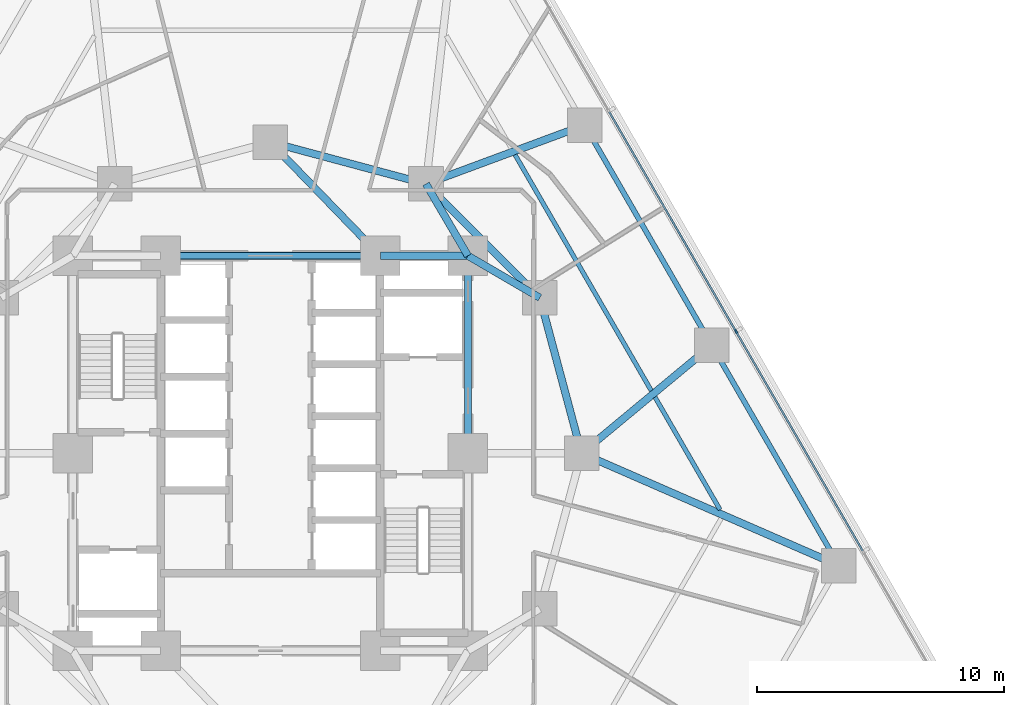
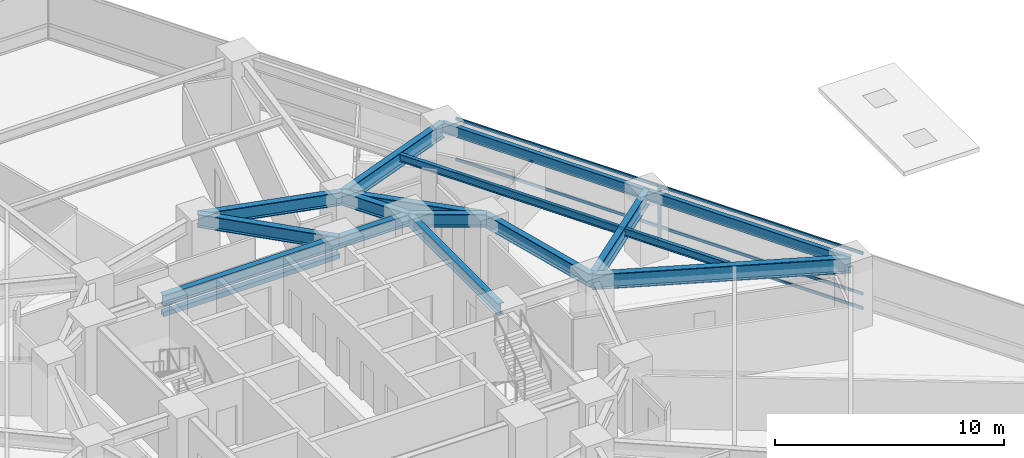
# One storey, part 5 of 16: 17 beams, 7 members, 1 element without a shape of its own.
"""IFC4 building model written with IfcOpenShell, lengths in metres."""

from ifc_helpers import new_model, si_unit, direction, frame, origin, origin_2d, place, context, subcontext, project, spatial, rectangle, hollow_rectangle, i_section, extrude, material, layer, layer_set, material_profile, profile_set, type_object, element, aggregate, save


model = new_model("IFC4")

# Units and contexts
model_context = context("Model", 3, precision=1e-05, world=origin(), true_north=direction((0.0, 1.0)))
body_context = subcontext(model_context, "Body", "Model", "MODEL_VIEW")
ifc_project = project(units=[si_unit("LENGTHUNIT", "METRE"), si_unit("AREAUNIT", "SQUARE_METRE"), si_unit("VOLUMEUNIT", "CUBIC_METRE"), si_unit("PLANEANGLEUNIT", "RADIAN"), si_unit("MASSUNIT", "GRAM", prefix="KILO")], contexts=[model_context])

# Site, building, storey
site_placement = place(None, origin())
site = spatial("IfcSite", under=ifc_project, at=site_placement, CompositionType="ELEMENT")
building_placement = place(site_placement, origin())
building = spatial("IfcBuilding", under=site, at=building_placement, Name="Terralouvre Media Tower", CompositionType="ELEMENT")
storey_placement = place(building_placement, frame((0.0, 0.0, 29.699951171875)))
storey = spatial("IfcBuildingStorey", under=building, at=storey_placement, Name="L06", CompositionType="ELEMENT", Elevation=29.699951171875)

# Beams
ifc_material_1 = material(Name="Structural steel S355J2", Category="steel")
ifc_material_profile_1 = material_profile(ifc_material_1, i_section(OverallWidth=0.179931640625, OverallDepth=0.39990234375, WebThickness=0.008544921875, FlangeThickness=0.013427734375, at=origin_2d()), Name="IPE 400")
ifc_profile_set_1 = profile_set([ifc_material_profile_1], Name="Structural steel S355J2")
beam_type_1 = type_object("IfcBeamType", Name="Composite Floor Joist J-IPE400 (IPE 400)", PredefinedType="JOIST", material=ifc_profile_set_1)
beam_1_placement = place(storey_placement, frame((18.20849609375, -2.28369140625, 3.300048828125), z_axis=(-0.500019514865, 0.866014136579, 0.0), x_axis=(-0.866014136579, -0.500019514865, 0.0)))
element("IfcBeam", 1, at=beam_1_placement, inside=storey, type_object=beam_type_1, Name="L06 Framing Beam JT-L06-06", PredefinedType="JOIST", context=body_context, shape_type="SweptSolid", body=[
    extrude(i_section(OverallWidth=0.179931640625, OverallDepth=0.39990234375, WebThickness=0.008544921875, FlangeThickness=0.013427734375, at=origin_2d()), origin(), (0.0, 0.0, 1.0), 5.264404296875),
])
beam_2_placement = place(storey_placement, frame((15.426025390625, 2.535400390625, 3.300048828125), z_axis=(-0.499996323086, 0.866027526641, 0.0), x_axis=(-0.866027526641, -0.499996323086, 0.0)))
element("IfcBeam", 2, at=beam_2_placement, inside=storey, type_object=beam_type_1, Name="L06 Framing Beam JT-L06-07", PredefinedType="JOIST", context=body_context, shape_type="SweptSolid", body=[
    extrude(i_section(OverallWidth=0.179931640625, OverallDepth=0.39990234375, WebThickness=0.008544921875, FlangeThickness=0.013427734375, at=origin_2d()), origin(), (0.0, 0.0, 1.0), 11.03466796875),
])

# Curtain wall, members
ifc_material_2 = material(Name="Low-iron laminated double glazing with solar-control coating", Category="glass")
ifc_layer = layer(ifc_material_2, 0.1650390625, Name="Lower Media Tower Unitised Curtain Wall CW-02")
ifc_layer_set = layer_set([ifc_layer], Name="Low-iron laminated double glazing with solar-control coating")
curtain_wall_type = type_object("IfcCurtainWallType", Name="Lower Media Tower Unitised Curtain Wall CW-02", PredefinedType="NOTDEFINED", material=ifc_layer_set)
curtain_wall_placement = place(storey_placement, origin())
curtain_wall = element("IfcCurtainWall", 3, at=curtain_wall_placement, inside=storey, type_object=curtain_wall_type, Name="L06 Facade Curtain Wall F1", PredefinedType="NOTDEFINED")
ifc_material_3 = material(Name="Anodised extruded aluminium 6063-T6", Category="aluminium")
ifc_material_profile_2 = material_profile(ifc_material_3, rectangle(XDim=0.074951171875, YDim=0.14990234375, at=origin_2d()), Name="ALU 75x150")
ifc_profile_set_2 = profile_set([ifc_material_profile_2], Name="Anodised extruded aluminium 6063-T6")
member_type_1 = type_object("IfcMemberType", Name="Curtain-Wall Horizontal Transom TR-150", PredefinedType="USERDEFINED", material=ifc_profile_set_2)
member_1_placement = place(storey_placement, frame((23.984619140625, -3.94921875, 0.03759765625), z_axis=(-0.499991148707, 0.866030514021, 0.0), x_axis=(-0.866030514021, -0.499991148707, 0.0)))
member_1 = element("IfcMember", 4, at=member_1_placement, type_object=member_type_1, Name="CW-02 transom 2.1", ObjectType="TRANSOM", PredefinedType="USERDEFINED", context=body_context, shape_type="SweptSolid", body=[
    extrude(rectangle(XDim=0.074951171875, YDim=0.14990234375, at=origin_2d()), origin(), (0.0, 0.0, 1.0), 10.224853515625),
])
member_2_placement = place(storey_placement, frame((23.984619140625, -3.94921875, 0.800048828125), z_axis=(-0.499991148707, 0.866030514021, 0.0), x_axis=(-0.866030514021, -0.499991148707, 0.0)))
member_2 = element("IfcMember", 5, at=member_2_placement, type_object=member_type_1, Name="CW-02 transom 2.2", ObjectType="TRANSOM", PredefinedType="USERDEFINED", context=body_context, shape_type="SweptSolid", body=[
    extrude(rectangle(XDim=0.074951171875, YDim=0.14990234375, at=origin_2d()), origin(), (0.0, 0.0, 1.0), 10.224853515625),
])
member_3_placement = place(storey_placement, frame((23.984619140625, -3.94921875, 2.962646484375), z_axis=(-0.499991148707, 0.866030514021, 0.0), x_axis=(-0.866030514021, -0.499991148707, 0.0)))
member_3 = element("IfcMember", 6, at=member_3_placement, type_object=member_type_1, Name="CW-02 transom 2.3", ObjectType="TRANSOM", PredefinedType="USERDEFINED", context=body_context, shape_type="SweptSolid", body=[
    extrude(rectangle(XDim=0.074951171875, YDim=0.14990234375, at=origin_2d()), origin(), (0.0, 0.0, 1.0), 10.224853515625),
])
member_4_placement = place(storey_placement, frame((18.834716796875, 4.970947265625, 0.03759765625), z_axis=(-0.50000905659, 0.866020174897, 0.0), x_axis=(-0.866020174897, -0.50000905659, 0.0)))
member_4 = element("IfcMember", 7, at=member_4_placement, type_object=member_type_1, Name="CW-02 transom 3.1", ObjectType="TRANSOM", PredefinedType="USERDEFINED", context=body_context, shape_type="SweptSolid", body=[
    extrude(rectangle(XDim=0.074951171875, YDim=0.14990234375, at=origin_2d()), origin(), (0.0, 0.0, 1.0), 10.224853515625),
])
member_5_placement = place(storey_placement, frame((18.834716796875, 4.970947265625, 0.800048828125), z_axis=(-0.50000905659, 0.866020174897, 0.0), x_axis=(-0.866020174897, -0.50000905659, 0.0)))
member_5 = element("IfcMember", 8, at=member_5_placement, type_object=member_type_1, Name="CW-02 transom 3.2", ObjectType="TRANSOM", PredefinedType="USERDEFINED", context=body_context, shape_type="SweptSolid", body=[
    extrude(rectangle(XDim=0.074951171875, YDim=0.14990234375, at=origin_2d()), origin(), (0.0, 0.0, 1.0), 10.224853515625),
])
member_6_placement = place(storey_placement, frame((18.834716796875, 4.970947265625, 2.962646484375), z_axis=(-0.50000905659, 0.866020174897, 0.0), x_axis=(-0.866020174897, -0.50000905659, 0.0)))
member_6 = element("IfcMember", 9, at=member_6_placement, type_object=member_type_1, Name="CW-02 transom 3.3", ObjectType="TRANSOM", PredefinedType="USERDEFINED", context=body_context, shape_type="SweptSolid", body=[
    extrude(rectangle(XDim=0.074951171875, YDim=0.14990234375, at=origin_2d()), origin(), (0.0, 0.0, 1.0), 10.224853515625),
])
ifc_material_4 = material(Name="Anodised extruded aluminium 6063-T6", Category="aluminium")
ifc_material_profile_3 = material_profile(ifc_material_4, rectangle(XDim=0.074951171875, YDim=0.179931640625, at=origin_2d()), Name="ALU 75x180")
ifc_profile_set_3 = profile_set([ifc_material_profile_3], Name="Anodised extruded aluminium 6063-T6")
member_type_2 = type_object("IfcMemberType", Name="Curtain-Wall Vertical Mullion ML-180", PredefinedType="MULLION", material=ifc_profile_set_3)
member_7_placement = place(storey_placement, frame((18.853515625, 4.938232421875, 0.0), z_axis=(0.0, 0.0, 1.0), x_axis=(-0.866025412057, -0.499999985671, 0.0)))
member_7 = element("IfcMember", 10, at=member_7_placement, type_object=member_type_2, Name="CW-02 mullion 3", PredefinedType="MULLION", context=body_context, shape_type="SweptSolid", body=[
    extrude(rectangle(XDim=0.074951171875, YDim=0.179931640625, at=origin_2d()), origin(), (0.0, 0.0, 1.0), 3.0),
])
aggregate(curtain_wall, [member_7, member_1, member_2, member_3, member_4, member_5, member_6])

# Beams
ifc_material_5 = material(Name="Structural steel S355J2", Category="steel")
ifc_material_profile_4 = material_profile(ifc_material_5, hollow_rectangle(XDim=0.25, YDim=0.25, WallThickness=0.012451171875, at=origin_2d()), Name="SHS 250x250x12.5")
ifc_profile_set_4 = profile_set([ifc_material_profile_4], Name="Structural steel S355J2")
beam_type_2 = type_object("IfcBeamType", Name="Opening Lintel Beam LN-SHS250 (SHS 250x250x12.5)", PredefinedType="LINTEL", material=ifc_profile_set_4)
beam_3_placement = place(storey_placement, frame((-4.449951171875, 8.0, 2.47509765625), z_axis=(1.0, 0.0, 0.0), x_axis=(0.0, 1.0, 0.0)))
element("IfcBeam", 11, at=beam_3_placement, inside=storey, type_object=beam_type_2, Name="L06 Core North Portal Lintel LN-09", PredefinedType="LINTEL", context=body_context, shape_type="SweptSolid", body=[
    extrude(hollow_rectangle(XDim=0.25, YDim=0.25, WallThickness=0.012451171875, at=origin_2d()), origin(), (0.0, 0.0, 1.0), 8.89990234375),
])
ifc_material_6 = material(Name="Structural steel S355J2", Category="steel")
ifc_material_profile_5 = material_profile(ifc_material_6, i_section(OverallWidth=0.2099609375, OverallDepth=0.550048828125, WebThickness=0.010986328125, FlangeThickness=0.01708984375, at=origin_2d()), Name="IPE 550")
ifc_profile_set_5 = profile_set([ifc_material_profile_5], Name="Structural steel S355J2")
beam_type_3 = type_object("IfcBeamType", Name="Perimeter Spandrel Beam SPB-550 (IPE 550)", PredefinedType="SPANDREL", material=ifc_profile_set_5)
for number, where, z_axis, x_axis, name in (
    (12, (23.02490234375, -4.546630859375, 3.22509765625), (-0.500016542852, 0.866015852554, 0.0), (-0.866015852554, -0.500016542852, 0.0), "L06 Framing Beam BM-L06-PR06"),
    (13, (17.874755859375, 4.373291015625, 3.22509765625), (-0.49998850195, 0.866032042085, 0.0), (-0.866032042085, -0.49998850195, 0.0), "L06 Framing Beam BM-L06-PR07"),
):
    element("IfcBeam", number, at=place(storey_placement, frame(where, z_axis=z_axis, x_axis=x_axis)), inside=storey, type_object=beam_type_3, Name=name, PredefinedType="SPANDREL", context=body_context, shape_type="SweptSolid", body=[
        extrude(i_section(OverallWidth=0.2099609375, OverallDepth=0.550048828125, WebThickness=0.010986328125, FlangeThickness=0.01708984375, at=origin_2d()), origin(), (0.0, 0.0, 1.0), 10.300048828125),
    ])
ifc_material_7 = material(Name="Structural steel S460M", Category="steel")
ifc_material_profile_6 = material_profile(ifc_material_7, i_section(OverallWidth=0.300048828125, OverallDepth=0.60009765625, WebThickness=0.015380859375, FlangeThickness=0.030029296875, at=origin_2d()), Name="HEB 600")
ifc_profile_set_6 = profile_set([ifc_material_profile_6], Name="Structural steel S460M")
beam_type_4 = type_object("IfcBeamType", Name="Primary Floor Girder B-HEB600 (HEB 600)", PredefinedType="BEAM", material=ifc_profile_set_6)
beam_4_placement = place(storey_placement, frame((8.0, 0.0, 3.199951171875), z_axis=(0.0, 1.0, 0.0), x_axis=(-1.0, 0.0, 0.0)))
element("IfcBeam", 14, at=beam_4_placement, inside=storey, type_object=beam_type_4, Name="L06 Framing Beam BM-L06-CPR05", PredefinedType="BEAM", context=body_context, shape_type="SweptSolid", body=[
    extrude(i_section(OverallWidth=0.300048828125, OverallDepth=0.60009765625, WebThickness=0.015380859375, FlangeThickness=0.030029296875, at=origin_2d()), origin(), (0.0, 0.0, 1.0), 8.0),
])
beam_5_placement = place(storey_placement, frame((8.0, 8.0, 3.199951171875), z_axis=(-1.0, 0.0, 0.0), x_axis=(0.0, -1.0, 0.0)))
element("IfcBeam", 15, at=beam_5_placement, inside=storey, type_object=beam_type_4, Name="L06 Framing Beam BM-L06-CPR06", PredefinedType="BEAM", context=body_context, shape_type="SweptSolid", body=[
    extrude(i_section(OverallWidth=0.300048828125, OverallDepth=0.60009765625, WebThickness=0.015380859375, FlangeThickness=0.030029296875, at=origin_2d()), origin(), (0.0, 0.0, 1.0), 3.550048828125),
])
beam_6_placement = place(storey_placement, frame((4.449951171875, 8.0, 3.199951171875), z_axis=(-1.0, 0.0, 0.0), x_axis=(0.0, -1.0, 0.0)))
element("IfcBeam", 16, at=beam_6_placement, inside=storey, type_object=beam_type_4, Name="L06 Framing Beam BM-L06-CPR07", PredefinedType="BEAM", context=body_context, shape_type="SweptSolid", body=[
    extrude(i_section(OverallWidth=0.300048828125, OverallDepth=0.60009765625, WebThickness=0.015380859375, FlangeThickness=0.030029296875, at=origin_2d()), origin(), (0.0, 0.0, 1.0), 8.89990234375),
])
ifc_material_8 = material(Name="Structural steel S460M", Category="steel")
ifc_material_profile_7 = material_profile(ifc_material_8, i_section(OverallWidth=0.300048828125, OverallDepth=0.699951171875, WebThickness=0.01708984375, FlangeThickness=0.031982421875, at=origin_2d()), Name="HEB 700")
ifc_profile_set_7 = profile_set([ifc_material_profile_7], Name="Structural steel S460M")
beam_type_5 = type_object("IfcBeamType", Name="Primary Floor Girder B-HEB700 (HEB 700)", PredefinedType="BEAM", material=ifc_profile_set_7)
beam_7_placement = place(storey_placement, frame((12.60009765625, 0.0, 3.150146484375), z_axis=(-0.258838989821, 0.965920481897, 0.0), x_axis=(-0.965920481897, -0.258838989821, 0.0)))
element("IfcBeam", 17, at=beam_7_placement, inside=storey, type_object=beam_type_5, Name="L06 Framing Beam BM-L06-MR06", PredefinedType="BEAM", context=body_context, shape_type="SweptSolid", body=[
    extrude(i_section(OverallWidth=0.300048828125, OverallDepth=0.699951171875, WebThickness=0.01708984375, FlangeThickness=0.031982421875, at=origin_2d()), origin(), (0.0, 0.0, 1.0), 6.522216796875),
])
beam_8_placement = place(storey_placement, frame((10.911865234375, 6.300048828125, 3.150146484375), z_axis=(-0.707106781187, 0.707106781187, 0.0), x_axis=(-0.707106781187, -0.707106781187, 0.0)))
element("IfcBeam", 18, at=beam_8_placement, inside=storey, type_object=beam_type_5, Name="L06 Framing Beam BM-L06-MR07", PredefinedType="BEAM", context=body_context, shape_type="SweptSolid", body=[
    extrude(i_section(OverallWidth=0.300048828125, OverallDepth=0.699951171875, WebThickness=0.01708984375, FlangeThickness=0.031982421875, at=origin_2d()), origin(), (0.0, 0.0, 1.0), 6.52197265625),
])
beam_9_placement = place(storey_placement, frame((6.300048828125, 10.911865234375, 3.150146484375), z_axis=(-0.965920481897, 0.258838989821, 0.0), x_axis=(-0.258838989821, -0.965920481897, 0.0)))
element("IfcBeam", 19, at=beam_9_placement, inside=storey, type_object=beam_type_5, Name="L06 Framing Beam BM-L06-MR08", PredefinedType="BEAM", context=body_context, shape_type="SweptSolid", body=[
    extrude(i_section(OverallWidth=0.300048828125, OverallDepth=0.699951171875, WebThickness=0.01708984375, FlangeThickness=0.031982421875, at=origin_2d()), origin(), (0.0, 0.0, 1.0), 6.522216796875),
])
for number, where, z_axis, x_axis, name in (
    (20, (8.0, 8.0, 3.150146484375), (0.863602894532, -0.504172629717, 0.0), (0.504172629717, 0.863602894532, 0.0), "L06 Framing Beam BM-L06-CM07"),
    (21, (8.0, 8.0, 3.150146484375), (-0.504172629717, 0.863602894532, 0.0), (-0.863602894532, -0.504172629717, 0.0), "L06 Framing Beam BM-L06-CM08"),
):
    element("IfcBeam", number, at=place(storey_placement, frame(where, z_axis=z_axis, x_axis=x_axis)), inside=storey, type_object=beam_type_5, Name=name, PredefinedType="BEAM", context=body_context, shape_type="SweptSolid", body=[
        extrude(i_section(OverallWidth=0.300048828125, OverallDepth=0.699951171875, WebThickness=0.01708984375, FlangeThickness=0.031982421875, at=origin_2d()), origin(), (0.0, 0.0, 1.0), 3.371826171875),
    ])
beam_10_placement = place(storey_placement, frame((4.449951171875, 8.0, 3.150146484375), z_axis=(-0.695279715726, 0.718739255155, 0.0), x_axis=(-0.718739255155, -0.695279715726, 0.0)))
element("IfcBeam", 22, at=beam_10_placement, inside=storey, type_object=beam_type_5, Name="L06 Framing Beam BM-L06-CM09", PredefinedType="BEAM", context=body_context, shape_type="SweptSolid", body=[
    extrude(i_section(OverallWidth=0.300048828125, OverallDepth=0.699951171875, WebThickness=0.01708984375, FlangeThickness=0.031982421875, at=origin_2d()), origin(), (0.0, 0.0, 1.0), 6.400146484375),
])
ifc_material_9 = material(Name="Structural steel S460M", Category="steel")
ifc_material_profile_8 = material_profile(ifc_material_9, i_section(OverallWidth=0.300048828125, OverallDepth=0.800048828125, WebThickness=0.017578125, FlangeThickness=0.032958984375, at=origin_2d()), Name="HEB 800")
ifc_profile_set_8 = profile_set([ifc_material_profile_8], Name="Structural steel S460M")
beam_type_6 = type_object("IfcBeamType", Name="Primary Floor Girder B-HEB800 (HEB 800)", PredefinedType="BEAM", material=ifc_profile_set_8)
beam_11_placement = place(storey_placement, frame((12.60009765625, 0.0, 3.10009765625), z_axis=(0.916615903868, -0.399769039291, 0.0), x_axis=(0.399769039291, 0.916615903868, 0.0)))
element("IfcBeam", 23, at=beam_11_placement, inside=storey, type_object=beam_type_6, Name="L06 Framing Beam BM-L06-RD06", PredefinedType="BEAM", context=body_context, shape_type="SweptSolid", body=[
    extrude(i_section(OverallWidth=0.300048828125, OverallDepth=0.800048828125, WebThickness=0.017578125, FlangeThickness=0.032958984375, at=origin_2d()), origin(), (0.0, 0.0, 1.0), 11.373046875),
])
beam_12_placement = place(storey_placement, frame((12.60009765625, 0.0, 3.10009765625), z_axis=(0.769816459478, 0.638265320001, 0.0), x_axis=(-0.638265320001, 0.769816459478, 0.0)))
element("IfcBeam", 24, at=beam_12_placement, inside=storey, type_object=beam_type_6, Name="L06 Framing Beam BM-L06-RD07", PredefinedType="BEAM", context=body_context, shape_type="SweptSolid", body=[
    extrude(i_section(OverallWidth=0.300048828125, OverallDepth=0.800048828125, WebThickness=0.017578125, FlangeThickness=0.032958984375, at=origin_2d()), origin(), (0.0, 0.0, 1.0), 6.851806640625),
])
beam_13_placement = place(storey_placement, frame((6.300048828125, 10.911865234375, 3.10009765625), z_axis=(0.937652019179, 0.347575446386, 0.0), x_axis=(-0.347575446386, 0.937652019179, 0.0)))
element("IfcBeam", 25, at=beam_13_placement, inside=storey, type_object=beam_type_6, Name="L06 Framing Beam BM-L06-RD08", PredefinedType="BEAM", context=body_context, shape_type="SweptSolid", body=[
    extrude(i_section(OverallWidth=0.300048828125, OverallDepth=0.800048828125, WebThickness=0.017578125, FlangeThickness=0.032958984375, at=origin_2d()), origin(), (0.0, 0.0, 1.0), 6.85205078125),
])

save(model, "model.ifc")
